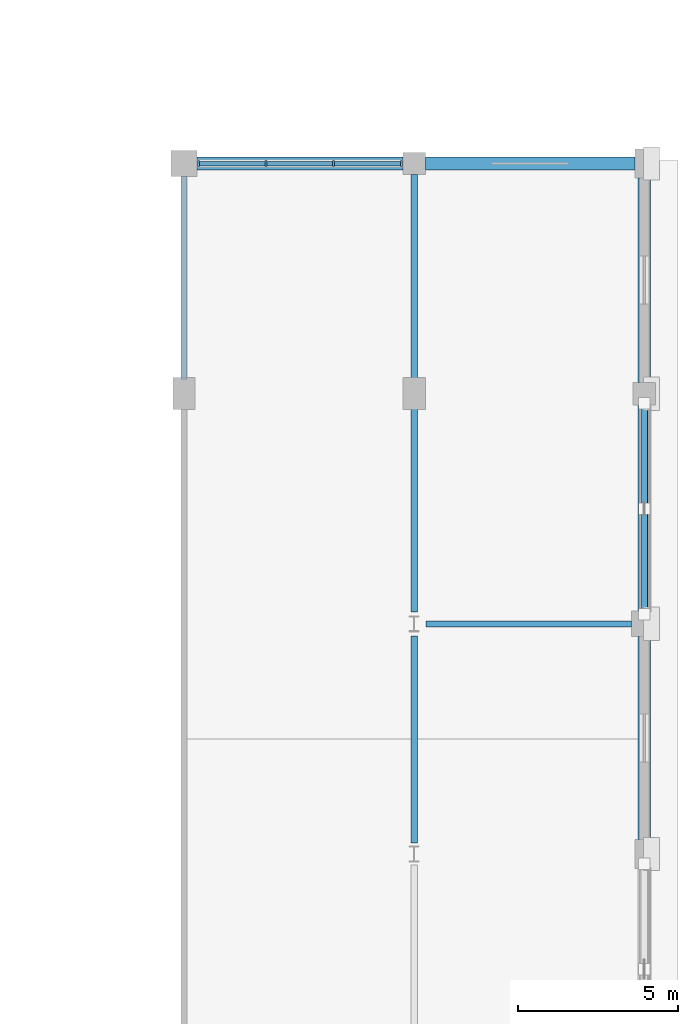
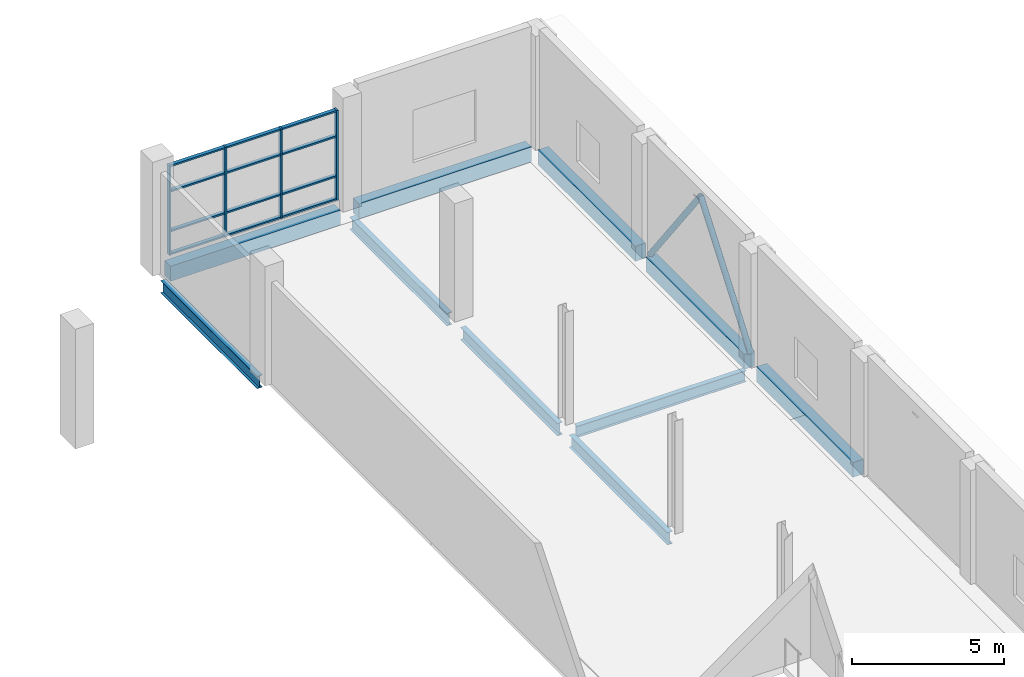
# One storey, part 44 of 82: 18 members, 10 beams, 1 element without a shape of its own.
"""IFC4 building model written with IfcOpenShell, lengths in metres."""

from ifc_helpers import new_model, si_unit, direction, frame, origin, origin_2d, place, context, subcontext, project, spatial, rectangle, hollow_circle, i_section, extrude, material, material_profile, profile_set, type_object, element, aggregate, save


model = new_model("IFC4")

# Units and contexts
model_context = context("Model", 3, precision=1e-05, world=origin(), true_north=direction((0.0, 1.0)))
body_context = subcontext(model_context, "Body", "Model", "MODEL_VIEW")
ifc_project = project(units=[si_unit("LENGTHUNIT", "METRE"), si_unit("AREAUNIT", "SQUARE_METRE"), si_unit("VOLUMEUNIT", "CUBIC_METRE"), si_unit("PLANEANGLEUNIT", "RADIAN"), si_unit("MASSUNIT", "GRAM", prefix="KILO")], contexts=[model_context])

# Site, building, storey
site_placement = place(None, origin())
site = spatial("IfcSite", under=ifc_project, at=site_placement, CompositionType="ELEMENT")
building_placement = place(site_placement, origin())
building = spatial("IfcBuilding", under=site, at=building_placement, Name="Sardonyx Promenade Sports Hall", CompositionType="ELEMENT")
storey_placement = place(building_placement, frame((0.0, 0.0, 11.199951171875)))
storey = spatial("IfcBuildingStorey", under=building, at=storey_placement, Name="L02", CompositionType="ELEMENT", Elevation=11.199951171875)

# Beams
ifc_material_1 = material(Name="Steel S355JR", Category="steel")
ifc_material_profile_1 = material_profile(ifc_material_1, i_section(OverallWidth=0.18994140625, OverallDepth=0.453369140625, WebThickness=0.008544921875, FlangeThickness=0.0126953125, at=origin_2d()))
ifc_profile_set_1 = profile_set([ifc_material_profile_1], Name="Steel S355JR")
beam_type_1 = type_object("IfcBeamType", Name="Bm_Girder_UB457", PredefinedType="BEAM", material=ifc_profile_set_1)
beam_1_placement = place(storey_placement, frame((158.77490234375, 72.0, -0.49658203125), z_axis=(1.0, 0.0, 0.0), x_axis=(0.0, 1.0, 0.0)))
element("IfcBeam", 1, at=beam_1_placement, inside=storey, type_object=beam_type_1, Name="Beam SB01 L02 #562", PredefinedType="BEAM", context=body_context, shape_type="SweptSolid", body=[
    extrude(i_section(OverallWidth=0.18994140625, OverallDepth=0.453369140625, WebThickness=0.008544921875, FlangeThickness=0.0126953125, at=origin_2d()), origin(), (0.0, 0.0, 1.0), 6.425048828125),
])
ifc_material_2 = material(Name="Steel S355JR", Category="steel")
ifc_material_profile_2 = material_profile(ifc_material_2, i_section(OverallWidth=0.199951171875, OverallDepth=0.5, WebThickness=0.01025390625, FlangeThickness=0.01611328125, at=origin_2d()))
ifc_profile_set_2 = profile_set([ifc_material_profile_2], Name="Steel S355JR")
beam_type_2 = type_object("IfcBeamType", Name="Bm_Primary_IPE500", PredefinedType="BEAM", material=ifc_profile_set_2)
beam_2_placement = place(storey_placement, frame((151.199951171875, 79.64990234375, -0.52001953125), z_axis=(0.0, 1.0, 0.0), x_axis=(-1.0, 0.0, 0.0)))
element("IfcBeam", 2, at=beam_2_placement, inside=storey, type_object=beam_type_2, Name="Beam SB06 L02 #681", PredefinedType="BEAM", context=body_context, shape_type="SweptSolid", body=[
    extrude(i_section(OverallWidth=0.199951171875, OverallDepth=0.5, WebThickness=0.01025390625, FlangeThickness=0.01611328125, at=origin_2d()), origin(), (0.0, 0.0, 1.0), 6.35009765625),
])
beam_3_placement = place(storey_placement, frame((158.39990234375, 65.14990234375, -0.52001953125), z_axis=(0.0, 1.0, 0.0), x_axis=(-1.0, 0.0, 0.0)))
element("IfcBeam", 3, at=beam_3_placement, inside=storey, type_object=beam_type_2, Name="Beam SB06 L02 #691", PredefinedType="BEAM", context=body_context, shape_type="SweptSolid", body=[
    extrude(i_section(OverallWidth=0.199951171875, OverallDepth=0.5, WebThickness=0.01025390625, FlangeThickness=0.01611328125, at=origin_2d()), origin(), (0.0, 0.0, 1.0), 6.47509765625),
])
beam_4_placement = place(storey_placement, frame((158.39990234375, 72.375, -0.52001953125), z_axis=(0.0, 1.0, 0.0), x_axis=(-1.0, 0.0, 0.0)))
element("IfcBeam", 4, at=beam_4_placement, inside=storey, type_object=beam_type_2, Name="Beam SB06 L02 #692", PredefinedType="BEAM", context=body_context, shape_type="SweptSolid", body=[
    extrude(i_section(OverallWidth=0.199951171875, OverallDepth=0.5, WebThickness=0.01025390625, FlangeThickness=0.01611328125, at=origin_2d()), origin(), (0.0, 0.0, 1.0), 6.375),
])
beam_5_placement = place(storey_placement, frame((158.39990234375, 79.64990234375, -0.52001953125), z_axis=(0.0, 1.0, 0.0), x_axis=(-1.0, 0.0, 0.0)))
element("IfcBeam", 5, at=beam_5_placement, inside=storey, type_object=beam_type_2, Name="Beam SB06 L02 #693", PredefinedType="BEAM", context=body_context, shape_type="SweptSolid", body=[
    extrude(i_section(OverallWidth=0.199951171875, OverallDepth=0.5, WebThickness=0.01025390625, FlangeThickness=0.01611328125, at=origin_2d()), origin(), (0.0, 0.0, 1.0), 6.400146484375),
])
ifc_material_3 = material(Name="Concrete C40/50", Category="concrete")
ifc_material_profile_3 = material_profile(ifc_material_3, rectangle(XDim=0.39990234375, YDim=0.60009765625, at=origin_2d()))
ifc_profile_set_3 = profile_set([ifc_material_profile_3], Name="Concrete C40/50")
beam_type_3 = type_object("IfcBeamType", Name="Bm_Spandrel_RC600", PredefinedType="SPANDREL", material=ifc_profile_set_3)
beam_6_placement = place(storey_placement, frame((151.60009765625, 86.39990234375, -0.300048828125), z_axis=(1.0, 0.0, 0.0), x_axis=(0.0, 1.0, 0.0)))
element("IfcBeam", 6, at=beam_6_placement, inside=storey, type_object=beam_type_3, Name="Beam SPB1 L02 #563", PredefinedType="SPANDREL", context=body_context, shape_type="SweptSolid", body=[
    extrude(rectangle(XDim=0.39990234375, YDim=0.60009765625, at=origin_2d()), origin(), (0.0, 0.0, 1.0), 6.449951171875),
])
beam_7_placement = place(storey_placement, frame((158.75, 86.39990234375, -0.300048828125), z_axis=(1.0, 0.0, 0.0), x_axis=(0.0, 1.0, 0.0)))
element("IfcBeam", 7, at=beam_7_placement, inside=storey, type_object=beam_type_3, Name="Beam SPB1 L02 #564", PredefinedType="SPANDREL", context=body_context, shape_type="SweptSolid", body=[
    extrude(rectangle(XDim=0.39990234375, YDim=0.60009765625, at=origin_2d()), origin(), (0.0, 0.0, 1.0), 6.550048828125),
])
beam_8_placement = place(storey_placement, frame((165.60009765625, 65.25, -0.300048828125), z_axis=(0.0, 1.0, 0.0), x_axis=(-1.0, 0.0, 0.0)))
element("IfcBeam", 8, at=beam_8_placement, inside=storey, type_object=beam_type_3, Name="Beam SPB1 L02 #703", PredefinedType="SPANDREL", context=body_context, shape_type="SweptSolid", body=[
    extrude(rectangle(XDim=0.39990234375, YDim=0.60009765625, at=origin_2d()), origin(), (0.0, 0.0, 1.0), 6.35009765625),
])
beam_9_placement = place(storey_placement, frame((165.60009765625, 72.39990234375, -0.300048828125), z_axis=(0.0, 1.0, 0.0), x_axis=(-1.0, 0.0, 0.0)))
element("IfcBeam", 9, at=beam_9_placement, inside=storey, type_object=beam_type_3, Name="Beam SPB1 L02 #704", PredefinedType="SPANDREL", context=body_context, shape_type="SweptSolid", body=[
    extrude(rectangle(XDim=0.39990234375, YDim=0.60009765625, at=origin_2d()), origin(), (0.0, 0.0, 1.0), 6.4501953125),
])
beam_10_placement = place(storey_placement, frame((165.60009765625, 79.550048828125, -0.300048828125), z_axis=(0.0, 1.0, 0.0), x_axis=(-1.0, 0.0, 0.0)))
element("IfcBeam", 10, at=beam_10_placement, inside=storey, type_object=beam_type_3, Name="Beam SPB1 L02 #705", PredefinedType="SPANDREL", context=body_context, shape_type="SweptSolid", body=[
    extrude(rectangle(XDim=0.39990234375, YDim=0.60009765625, at=origin_2d()), origin(), (0.0, 0.0, 1.0), 6.39990234375),
])

# Curtain wall, members
ifc_material_4 = material(Name="Aluminium 6063-T6", Category="aluminium")
curtain_wall_type = type_object("IfcCurtainWallType", Name="CW_Prac_East_L02", PredefinedType="USERDEFINED", material=ifc_material_4)
curtain_wall_placement = place(storey_placement, origin())
curtain_wall = element("IfcCurtainWall", 11, at=curtain_wall_placement, inside=storey, type_object=curtain_wall_type, Name="Curtain wall CW03 cw:L02:107", ObjectType="CURTAIN WALL", PredefinedType="USERDEFINED")
ifc_material_5 = material(Name="Aluminium 6063-T6", Category="aluminium")
ifc_material_profile_4 = material_profile(ifc_material_5, rectangle(XDim=0.06494140625, YDim=0.175048828125, at=origin_2d()))
ifc_profile_set_4 = profile_set([ifc_material_profile_4], Name="Aluminium 6063-T6")
member_type_1 = type_object("IfcMemberType", Name="CW_Mull_175", PredefinedType="MULLION", material=ifc_profile_set_4)
member_1_placement = place(storey_placement, frame((151.652587890625, 86.39990234375, 0.35009765625), z_axis=(0.0, 0.0, 1.0), x_axis=(1.0, 0.0, 0.0)))
member_1 = element("IfcMember", 12, at=member_1_placement, type_object=member_type_1, Name="Mullion CM02 cw:L02:107 #1", PredefinedType="MULLION", context=body_context, shape_type="SweptSolid", body=[
    extrude(rectangle(XDim=0.06494140625, YDim=0.175048828125, at=origin_2d()), origin(), (0.0, 0.0, 1.0), 3.599853515625),
])
member_2_placement = place(storey_placement, frame((153.767578125, 86.39990234375, 0.35009765625), z_axis=(0.0, 0.0, 1.0), x_axis=(1.0, 0.0, 0.0)))
member_2 = element("IfcMember", 13, at=member_2_placement, type_object=member_type_1, Name="Mullion CM02 cw:L02:107 #2", PredefinedType="MULLION", context=body_context, shape_type="SweptSolid", body=[
    extrude(rectangle(XDim=0.06494140625, YDim=0.175048828125, at=origin_2d()), origin(), (0.0, 0.0, 1.0), 3.599853515625),
])
member_3_placement = place(storey_placement, frame((155.882568359375, 86.39990234375, 0.35009765625), z_axis=(0.0, 0.0, 1.0), x_axis=(1.0, 0.0, 0.0)))
member_3 = element("IfcMember", 14, at=member_3_placement, type_object=member_type_1, Name="Mullion CM02 cw:L02:107 #3", PredefinedType="MULLION", context=body_context, shape_type="SweptSolid", body=[
    extrude(rectangle(XDim=0.06494140625, YDim=0.175048828125, at=origin_2d()), origin(), (0.0, 0.0, 1.0), 3.599853515625),
])
member_4_placement = place(storey_placement, frame((157.99755859375, 86.39990234375, 0.35009765625), z_axis=(0.0, 0.0, 1.0), x_axis=(1.0, 0.0, 0.0)))
member_4 = element("IfcMember", 15, at=member_4_placement, type_object=member_type_1, Name="Mullion CM02 cw:L02:107 #4", PredefinedType="MULLION", context=body_context, shape_type="SweptSolid", body=[
    extrude(rectangle(XDim=0.06494140625, YDim=0.175048828125, at=origin_2d()), origin(), (0.0, 0.0, 1.0), 3.599853515625),
])
ifc_material_6 = material(Name="Aluminium 6063-T6", Category="aluminium")
ifc_material_profile_5 = material_profile(ifc_material_6, rectangle(XDim=0.06494140625, YDim=0.139892578125, at=origin_2d()))
ifc_profile_set_5 = profile_set([ifc_material_profile_5], Name="Aluminium 6063-T6")
member_type_2 = type_object("IfcMemberType", Name="CW_Tran_140", PredefinedType="USERDEFINED", material=ifc_profile_set_5)
member_5_placement = place(storey_placement, frame((151.68505859375, 86.39990234375, 0.382568359375), z_axis=(1.0, 0.0, 0.0), x_axis=(0.0, 0.0, 1.0)))
member_5 = element("IfcMember", 16, at=member_5_placement, type_object=member_type_2, Name="Transom CT02 cw:L02:107 #1", ObjectType="TRANSOM", PredefinedType="USERDEFINED", context=body_context, shape_type="SweptSolid", body=[
    extrude(rectangle(XDim=0.06494140625, YDim=0.139892578125, at=origin_2d()), origin(), (0.0, 0.0, 1.0), 2.050048828125),
])
member_6_placement = place(storey_placement, frame((151.68505859375, 86.39990234375, 1.300048828125), z_axis=(1.0, 0.0, 0.0), x_axis=(0.0, 0.0, 1.0)))
member_6 = element("IfcMember", 17, at=member_6_placement, type_object=member_type_2, Name="Transom CT02 cw:L02:107 #2", ObjectType="TRANSOM", PredefinedType="USERDEFINED", context=body_context, shape_type="SweptSolid", body=[
    extrude(rectangle(XDim=0.06494140625, YDim=0.139892578125, at=origin_2d()), origin(), (0.0, 0.0, 1.0), 2.050048828125),
])
member_7_placement = place(storey_placement, frame((151.68505859375, 86.39990234375, 2.900146484375), z_axis=(1.0, 0.0, 0.0), x_axis=(0.0, 0.0, 1.0)))
member_7 = element("IfcMember", 18, at=member_7_placement, type_object=member_type_2, Name="Transom CT02 cw:L02:107 #3", ObjectType="TRANSOM", PredefinedType="USERDEFINED", context=body_context, shape_type="SweptSolid", body=[
    extrude(rectangle(XDim=0.06494140625, YDim=0.139892578125, at=origin_2d()), origin(), (0.0, 0.0, 1.0), 2.050048828125),
])
member_8_placement = place(storey_placement, frame((151.68505859375, 86.39990234375, 3.91748046875), z_axis=(1.0, 0.0, 0.0), x_axis=(0.0, 0.0, 1.0)))
member_8 = element("IfcMember", 19, at=member_8_placement, type_object=member_type_2, Name="Transom CT02 cw:L02:107 #4", ObjectType="TRANSOM", PredefinedType="USERDEFINED", context=body_context, shape_type="SweptSolid", body=[
    extrude(rectangle(XDim=0.06494140625, YDim=0.139892578125, at=origin_2d()), origin(), (0.0, 0.0, 1.0), 2.050048828125),
])
member_9_placement = place(storey_placement, frame((153.800048828125, 86.39990234375, 0.382568359375), z_axis=(1.0, 0.0, 0.0), x_axis=(0.0, 0.0, 1.0)))
member_9 = element("IfcMember", 20, at=member_9_placement, type_object=member_type_2, Name="Transom CT02 cw:L02:107 #5", ObjectType="TRANSOM", PredefinedType="USERDEFINED", context=body_context, shape_type="SweptSolid", body=[
    extrude(rectangle(XDim=0.06494140625, YDim=0.139892578125, at=origin_2d()), origin(), (0.0, 0.0, 1.0), 2.050048828125),
])
member_10_placement = place(storey_placement, frame((153.800048828125, 86.39990234375, 1.300048828125), z_axis=(1.0, 0.0, 0.0), x_axis=(0.0, 0.0, 1.0)))
member_10 = element("IfcMember", 21, at=member_10_placement, type_object=member_type_2, Name="Transom CT02 cw:L02:107 #6", ObjectType="TRANSOM", PredefinedType="USERDEFINED", context=body_context, shape_type="SweptSolid", body=[
    extrude(rectangle(XDim=0.06494140625, YDim=0.139892578125, at=origin_2d()), origin(), (0.0, 0.0, 1.0), 2.050048828125),
])
member_11_placement = place(storey_placement, frame((153.800048828125, 86.39990234375, 2.900146484375), z_axis=(1.0, 0.0, 0.0), x_axis=(0.0, 0.0, 1.0)))
member_11 = element("IfcMember", 22, at=member_11_placement, type_object=member_type_2, Name="Transom CT02 cw:L02:107 #7", ObjectType="TRANSOM", PredefinedType="USERDEFINED", context=body_context, shape_type="SweptSolid", body=[
    extrude(rectangle(XDim=0.06494140625, YDim=0.139892578125, at=origin_2d()), origin(), (0.0, 0.0, 1.0), 2.050048828125),
])
member_12_placement = place(storey_placement, frame((153.800048828125, 86.39990234375, 3.91748046875), z_axis=(1.0, 0.0, 0.0), x_axis=(0.0, 0.0, 1.0)))
member_12 = element("IfcMember", 23, at=member_12_placement, type_object=member_type_2, Name="Transom CT02 cw:L02:107 #8", ObjectType="TRANSOM", PredefinedType="USERDEFINED", context=body_context, shape_type="SweptSolid", body=[
    extrude(rectangle(XDim=0.06494140625, YDim=0.139892578125, at=origin_2d()), origin(), (0.0, 0.0, 1.0), 2.050048828125),
])
member_13_placement = place(storey_placement, frame((155.9150390625, 86.39990234375, 0.382568359375), z_axis=(1.0, 0.0, 0.0), x_axis=(0.0, 0.0, 1.0)))
member_13 = element("IfcMember", 24, at=member_13_placement, type_object=member_type_2, Name="Transom CT02 cw:L02:107 #9", ObjectType="TRANSOM", PredefinedType="USERDEFINED", context=body_context, shape_type="SweptSolid", body=[
    extrude(rectangle(XDim=0.06494140625, YDim=0.139892578125, at=origin_2d()), origin(), (0.0, 0.0, 1.0), 2.050048828125),
])
member_14_placement = place(storey_placement, frame((155.9150390625, 86.39990234375, 1.300048828125), z_axis=(1.0, 0.0, 0.0), x_axis=(0.0, 0.0, 1.0)))
member_14 = element("IfcMember", 25, at=member_14_placement, type_object=member_type_2, Name="Transom CT02 cw:L02:107 #10", ObjectType="TRANSOM", PredefinedType="USERDEFINED", context=body_context, shape_type="SweptSolid", body=[
    extrude(rectangle(XDim=0.06494140625, YDim=0.139892578125, at=origin_2d()), origin(), (0.0, 0.0, 1.0), 2.050048828125),
])
member_15_placement = place(storey_placement, frame((155.9150390625, 86.39990234375, 2.900146484375), z_axis=(1.0, 0.0, 0.0), x_axis=(0.0, 0.0, 1.0)))
member_15 = element("IfcMember", 26, at=member_15_placement, type_object=member_type_2, Name="Transom CT02 cw:L02:107 #11", ObjectType="TRANSOM", PredefinedType="USERDEFINED", context=body_context, shape_type="SweptSolid", body=[
    extrude(rectangle(XDim=0.06494140625, YDim=0.139892578125, at=origin_2d()), origin(), (0.0, 0.0, 1.0), 2.050048828125),
])
member_16_placement = place(storey_placement, frame((155.9150390625, 86.39990234375, 3.91748046875), z_axis=(1.0, 0.0, 0.0), x_axis=(0.0, 0.0, 1.0)))
member_16 = element("IfcMember", 27, at=member_16_placement, type_object=member_type_2, Name="Transom CT02 cw:L02:107 #12", ObjectType="TRANSOM", PredefinedType="USERDEFINED", context=body_context, shape_type="SweptSolid", body=[
    extrude(rectangle(XDim=0.06494140625, YDim=0.139892578125, at=origin_2d()), origin(), (0.0, 0.0, 1.0), 2.050048828125),
])
aggregate(curtain_wall, [member_1, member_2, member_3, member_4, member_5, member_6, member_7, member_8, member_9, member_10, member_11, member_12, member_13, member_14, member_15, member_16])

# Members
ifc_material_7 = material(Name="Steel S355JR", Category="steel")
ifc_material_profile_6 = material_profile(ifc_material_7, hollow_circle(Radius=0.109619140625, WallThickness=0.010009765625, at=origin_2d()))
ifc_profile_set_6 = profile_set([ifc_material_profile_6], Name="Steel S355JR")
member_type_3 = type_object("IfcMemberType", Name="Mbr_Brace_CHS219_Ext", PredefinedType="BRACE", material=ifc_profile_set_6)
member_17_placement = place(storey_placement, frame((165.60009765625, 72.300048828125, 0.02001953125), z_axis=(0.0, 0.606152648807, 0.795348330195), x_axis=(-1.0, 0.0, 0.0)))
element("IfcMember", 28, at=member_17_placement, inside=storey, type_object=member_type_3, Name="Chevron brace BR02 BF4 L02 leg 1", PredefinedType="BRACE", context=body_context, shape_type="SweptSolid", body=[
    extrude(hollow_circle(Radius=0.109619140625, WallThickness=0.010009765625, at=origin_2d()), origin(), (0.0, 0.0, 1.0), 5.4443359375),
])
member_18_placement = place(storey_placement, frame((165.60009765625, 78.89990234375, 0.02001953125), z_axis=(0.0, -0.606124280453, 0.795369949549), x_axis=(1.0, 0.0, 0.0)))
element("IfcMember", 29, at=member_18_placement, inside=storey, type_object=member_type_3, Name="Chevron brace BR02 BF4 L02 leg 2", PredefinedType="BRACE", context=body_context, shape_type="SweptSolid", body=[
    extrude(hollow_circle(Radius=0.109619140625, WallThickness=0.010009765625, at=origin_2d()), origin(), (0.0, 0.0, 1.0), 5.444091796875),
])

save(model, "model.ifc")
